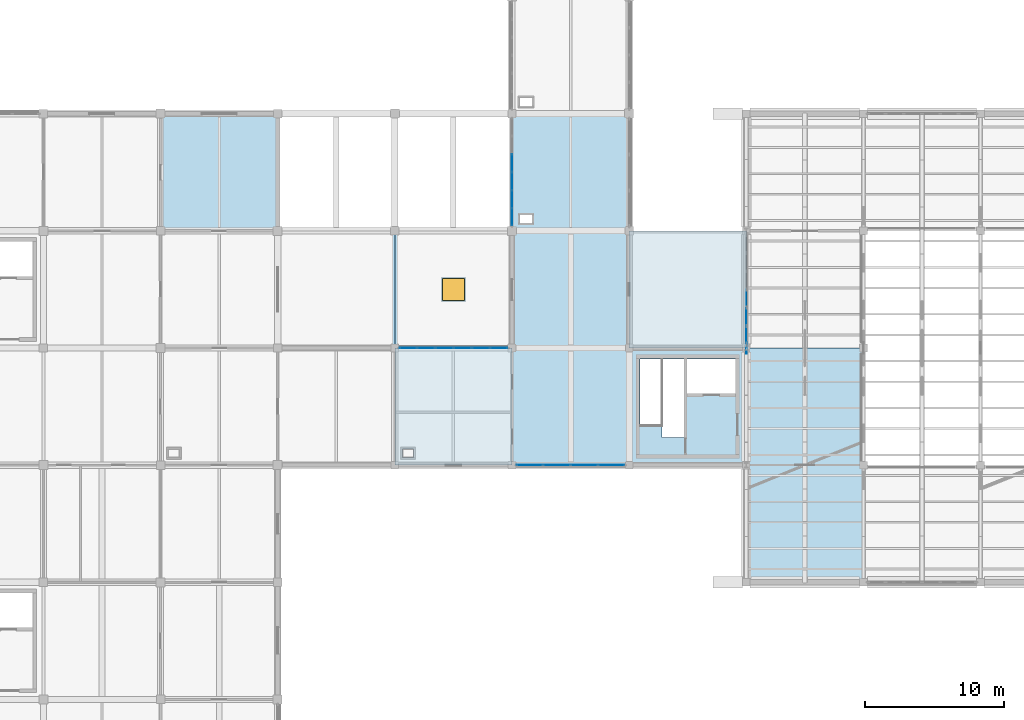
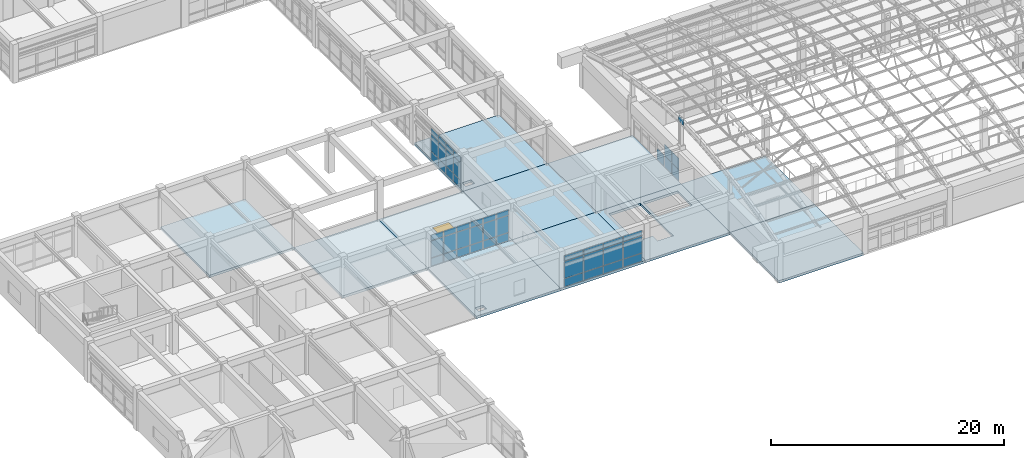
# One storey, part 48 of 74: 48 plates, 11 slabs, 1 window, 1 opening, 4 elements without a shape of their own.
"""IFC4 building model written with IfcOpenShell, lengths in metres."""

from ifc_helpers import new_model, si_unit, direction, frame, origin, origin_2d, place, context, subcontext, project, spatial, polyline, rectangle, outline, extrude, material, layer, layer_set, type_object, element, fill, aggregate, save


model = new_model("IFC4")

# Units and contexts
model_context = context("Model", 3, precision=1e-05, world=origin(), true_north=direction((0.0, 1.0)))
body_context = subcontext(model_context, "Body", "Model", "MODEL_VIEW")
ifc_project = project(units=[si_unit("LENGTHUNIT", "METRE"), si_unit("AREAUNIT", "SQUARE_METRE"), si_unit("VOLUMEUNIT", "CUBIC_METRE"), si_unit("PLANEANGLEUNIT", "RADIAN"), si_unit("MASSUNIT", "GRAM", prefix="KILO")], contexts=[model_context])

# Site, building, storey
site_placement = place(None, origin())
site = spatial("IfcSite", under=ifc_project, at=site_placement, CompositionType="ELEMENT")
building_placement = place(site_placement, origin())
building = spatial("IfcBuilding", under=site, at=building_placement, Name="Porcellanite Civic Hall", CompositionType="ELEMENT")
storey_placement = place(building_placement, frame((0.0, 0.0, 14.760009765625)))
storey = spatial("IfcBuildingStorey", under=building, at=storey_placement, Name="L03", CompositionType="ELEMENT", Elevation=14.760009765625)

# Curtain wall, plates
ifc_material_1 = material(Name="Anodised aluminium and solar laminated glass", Category="aluminium")
ifc_layer_1 = layer(ifc_material_1, 0.179931640625)
ifc_layer_set_1 = layer_set([ifc_layer_1], Name="Anodised aluminium and solar laminated glass")
curtain_wall_type_1 = type_object("IfcCurtainWallType", Name="CW-SYS01", PredefinedType="NOTDEFINED", material=ifc_layer_set_1)
curtain_wall_1_placement = place(storey_placement, origin())
curtain_wall_1 = element("IfcCurtainWall", 1, at=curtain_wall_1_placement, inside=storey, type_object=curtain_wall_type_1, Name="Curtain wall CW-206", PredefinedType="NOTDEFINED")
ifc_material_2 = material(Name="Cyclone laminated solar-control low-E glass", Category="glass")
ifc_layer_2 = layer(ifc_material_2, 0.02392578125)
ifc_layer_set_2 = layer_set([ifc_layer_2], Name="Cyclone laminated solar-control low-E glass")
plate_type_1 = type_object("IfcPlateType", Name="CWP-01", PredefinedType="CURTAIN_PANEL", material=ifc_layer_set_2)
plate_1_placement = place(storey_placement, frame((67.199951171875, 59.75, 0.06982421875), z_axis=(0.0, 0.0, 1.0), x_axis=(0.0, 1.0, 0.0)))
plate_1 = element("IfcPlate", 2, at=plate_1_placement, type_object=plate_type_1, Name="CW-206 panel 1.1", PredefinedType="CURTAIN_PANEL", context=body_context, shape_type="SweptSolid", body=[
    extrude(rectangle(XDim=1.18798828125, YDim=0.02392578125, at=origin_2d()), origin(), (0.0, 0.0, 1.0), 1.155029296875),
])
plate_2_placement = place(storey_placement, frame((67.199951171875, 59.75, 1.294921875), z_axis=(0.0, 0.0, 1.0), x_axis=(0.0, 1.0, 0.0)))
plate_2 = element("IfcPlate", 3, at=plate_2_placement, type_object=plate_type_1, Name="CW-206 panel 1.2", PredefinedType="CURTAIN_PANEL", context=body_context, shape_type="SweptSolid", body=[
    extrude(rectangle(XDim=1.18798828125, YDim=0.02392578125, at=origin_2d()), origin(), (0.0, 0.0, 1.0), 1.155029296875),
])
plate_3_placement = place(storey_placement, frame((67.199951171875, 61.0380859375, 0.06982421875), z_axis=(0.0, 0.0, 1.0), x_axis=(0.0, 1.0, 0.0)))
plate_3 = element("IfcPlate", 4, at=plate_3_placement, type_object=plate_type_1, Name="CW-206 panel 2.1", PredefinedType="CURTAIN_PANEL", context=body_context, shape_type="SweptSolid", body=[
    extrude(rectangle(XDim=1.22802734375, YDim=0.02392578125, at=origin_2d()), origin(), (0.0, 0.0, 1.0), 1.155029296875),
])
plate_4_placement = place(storey_placement, frame((67.199951171875, 61.0380859375, 1.294921875), z_axis=(0.0, 0.0, 1.0), x_axis=(0.0, 1.0, 0.0)))
plate_4 = element("IfcPlate", 5, at=plate_4_placement, type_object=plate_type_1, Name="CW-206 panel 2.2", PredefinedType="CURTAIN_PANEL", context=body_context, shape_type="SweptSolid", body=[
    extrude(rectangle(XDim=1.22802734375, YDim=0.02392578125, at=origin_2d()), origin(), (0.0, 0.0, 1.0), 1.155029296875),
])
plate_5_placement = place(storey_placement, frame((67.199951171875, 62.345947265625, 0.06982421875), z_axis=(0.0, 0.0, 1.0), x_axis=(0.0, 1.0, 0.0)))
plate_5 = element("IfcPlate", 6, at=plate_5_placement, type_object=plate_type_1, Name="CW-206 panel 3.1", PredefinedType="CURTAIN_PANEL", context=body_context, shape_type="SweptSolid", body=[
    extrude(rectangle(XDim=1.22802734375, YDim=0.02392578125, at=origin_2d()), origin(), (0.0, 0.0, 1.0), 1.155029296875),
])
aggregate(curtain_wall_1, [plate_1, plate_2, plate_3, plate_4, plate_5])

curtain_wall_2_placement = place(storey_placement, origin())
curtain_wall_2 = element("IfcCurtainWall", 7, at=curtain_wall_2_placement, inside=storey, type_object=curtain_wall_type_1, Name="Curtain wall CW-191", PredefinedType="NOTDEFINED")
ifc_material_3 = material(Name="Cyclone laminated solar-control low-E glass", Category="glass")
ifc_layer_3 = layer(ifc_material_3, 0.02587890625)
ifc_layer_set_3 = layer_set([ifc_layer_3], Name="Cyclone laminated solar-control low-E glass")
plate_type_2 = type_object("IfcPlateType", Name="CWP-02", PredefinedType="CURTAIN_PANEL", material=ifc_layer_set_3)
plate_6_placement = place(storey_placement, frame((42.947509765625, 58.800048828125, 0.06005859375), z_axis=(0.0, 0.0, 1.0), x_axis=(1.0, 0.0, 0.0)))
plate_6 = element("IfcPlate", 8, at=plate_6_placement, type_object=plate_type_2, Name="CW-191 panel 1.1", PredefinedType="CURTAIN_PANEL", context=body_context, shape_type="SweptSolid", body=[
    extrude(rectangle(XDim=1.202880859375, YDim=0.02587890625, at=origin_2d()), origin(), (0.0, 0.0, 1.0), 0.81005859375),
])
plate_7_placement = place(storey_placement, frame((42.947509765625, 58.800048828125, 0.93017578125), z_axis=(0.0, 0.0, 1.0), x_axis=(1.0, 0.0, 0.0)))
plate_7 = element("IfcPlate", 9, at=plate_7_placement, type_object=plate_type_2, Name="CW-191 panel 1.2", PredefinedType="CURTAIN_PANEL", context=body_context, shape_type="SweptSolid", body=[
    extrude(rectangle(XDim=1.202880859375, YDim=0.02587890625, at=origin_2d()), origin(), (0.0, 0.0, 1.0), 1.760009765625),
])
plate_8_placement = place(storey_placement, frame((42.947509765625, 58.800048828125, 2.75), z_axis=(0.0, 0.0, 1.0), x_axis=(1.0, 0.0, 0.0)))
plate_8 = element("IfcPlate", 10, at=plate_8_placement, type_object=plate_type_2, Name="CW-191 panel 1.3", PredefinedType="CURTAIN_PANEL", context=body_context, shape_type="SweptSolid", body=[
    extrude(rectangle(XDim=1.202880859375, YDim=0.02587890625, at=origin_2d()), origin(), (0.0, 0.0, 1.0), 0.56005859375),
])
plate_9_placement = place(storey_placement, frame((44.238037109375, 58.800048828125, 0.06005859375), z_axis=(0.0, 0.0, 1.0), x_axis=(1.0, 0.0, 0.0)))
plate_9 = element("IfcPlate", 11, at=plate_9_placement, type_object=plate_type_2, Name="CW-191 panel 2.1", PredefinedType="CURTAIN_PANEL", context=body_context, shape_type="SweptSolid", body=[
    extrude(rectangle(XDim=1.238037109375, YDim=0.02587890625, at=origin_2d()), origin(), (0.0, 0.0, 1.0), 0.81005859375),
])
plate_10_placement = place(storey_placement, frame((44.238037109375, 58.800048828125, 0.93017578125), z_axis=(0.0, 0.0, 1.0), x_axis=(1.0, 0.0, 0.0)))
plate_10 = element("IfcPlate", 12, at=plate_10_placement, type_object=plate_type_2, Name="CW-191 panel 2.2", PredefinedType="CURTAIN_PANEL", context=body_context, shape_type="SweptSolid", body=[
    extrude(rectangle(XDim=1.238037109375, YDim=0.02587890625, at=origin_2d()), origin(), (0.0, 0.0, 1.0), 1.760009765625),
])
plate_11_placement = place(storey_placement, frame((44.238037109375, 58.800048828125, 2.75), z_axis=(0.0, 0.0, 1.0), x_axis=(1.0, 0.0, 0.0)))
plate_11 = element("IfcPlate", 13, at=plate_11_placement, type_object=plate_type_2, Name="CW-191 panel 2.3", PredefinedType="CURTAIN_PANEL", context=body_context, shape_type="SweptSolid", body=[
    extrude(rectangle(XDim=1.238037109375, YDim=0.02587890625, at=origin_2d()), origin(), (0.0, 0.0, 1.0), 0.56005859375),
])
plate_12_placement = place(storey_placement, frame((45.5458984375, 58.800048828125, 0.06005859375), z_axis=(0.0, 0.0, 1.0), x_axis=(1.0, 0.0, 0.0)))
plate_12 = element("IfcPlate", 14, at=plate_12_placement, type_object=plate_type_2, Name="CW-191 panel 3.1", PredefinedType="CURTAIN_PANEL", context=body_context, shape_type="SweptSolid", body=[
    extrude(rectangle(XDim=1.238037109375, YDim=0.02587890625, at=origin_2d()), origin(), (0.0, 0.0, 1.0), 0.81005859375),
])
plate_13_placement = place(storey_placement, frame((45.5458984375, 58.800048828125, 0.93017578125), z_axis=(0.0, 0.0, 1.0), x_axis=(1.0, 0.0, 0.0)))
plate_13 = element("IfcPlate", 15, at=plate_13_placement, type_object=plate_type_2, Name="CW-191 panel 3.2", PredefinedType="CURTAIN_PANEL", context=body_context, shape_type="SweptSolid", body=[
    extrude(rectangle(XDim=1.238037109375, YDim=0.02587890625, at=origin_2d()), origin(), (0.0, 0.0, 1.0), 1.760009765625),
])
plate_14_placement = place(storey_placement, frame((45.5458984375, 58.800048828125, 2.75), z_axis=(0.0, 0.0, 1.0), x_axis=(1.0, 0.0, 0.0)))
plate_14 = element("IfcPlate", 16, at=plate_14_placement, type_object=plate_type_2, Name="CW-191 panel 3.3", PredefinedType="CURTAIN_PANEL", context=body_context, shape_type="SweptSolid", body=[
    extrude(rectangle(XDim=1.238037109375, YDim=0.02587890625, at=origin_2d()), origin(), (0.0, 0.0, 1.0), 0.56005859375),
])
plate_15_placement = place(storey_placement, frame((46.85400390625, 58.800048828125, 0.06005859375), z_axis=(0.0, 0.0, 1.0), x_axis=(1.0, 0.0, 0.0)))
plate_15 = element("IfcPlate", 17, at=plate_15_placement, type_object=plate_type_2, Name="CW-191 panel 4.1", PredefinedType="CURTAIN_PANEL", context=body_context, shape_type="SweptSolid", body=[
    extrude(rectangle(XDim=1.238037109375, YDim=0.02587890625, at=origin_2d()), origin(), (0.0, 0.0, 1.0), 0.81005859375),
])
plate_16_placement = place(storey_placement, frame((46.85400390625, 58.800048828125, 0.93017578125), z_axis=(0.0, 0.0, 1.0), x_axis=(1.0, 0.0, 0.0)))
plate_16 = element("IfcPlate", 18, at=plate_16_placement, type_object=plate_type_2, Name="CW-191 panel 4.2", PredefinedType="CURTAIN_PANEL", context=body_context, shape_type="SweptSolid", body=[
    extrude(rectangle(XDim=1.238037109375, YDim=0.02587890625, at=origin_2d()), origin(), (0.0, 0.0, 1.0), 1.760009765625),
])
plate_17_placement = place(storey_placement, frame((46.85400390625, 58.800048828125, 2.75), z_axis=(0.0, 0.0, 1.0), x_axis=(1.0, 0.0, 0.0)))
plate_17 = element("IfcPlate", 19, at=plate_17_placement, type_object=plate_type_2, Name="CW-191 panel 4.3", PredefinedType="CURTAIN_PANEL", context=body_context, shape_type="SweptSolid", body=[
    extrude(rectangle(XDim=1.238037109375, YDim=0.02587890625, at=origin_2d()), origin(), (0.0, 0.0, 1.0), 0.56005859375),
])
plate_18_placement = place(storey_placement, frame((48.162109375, 58.800048828125, 0.06005859375), z_axis=(0.0, 0.0, 1.0), x_axis=(1.0, 0.0, 0.0)))
plate_18 = element("IfcPlate", 20, at=plate_18_placement, type_object=plate_type_2, Name="CW-191 panel 5.1", PredefinedType="CURTAIN_PANEL", context=body_context, shape_type="SweptSolid", body=[
    extrude(rectangle(XDim=1.238037109375, YDim=0.02587890625, at=origin_2d()), origin(), (0.0, 0.0, 1.0), 0.81005859375),
])
plate_19_placement = place(storey_placement, frame((48.162109375, 58.800048828125, 0.93017578125), z_axis=(0.0, 0.0, 1.0), x_axis=(1.0, 0.0, 0.0)))
plate_19 = element("IfcPlate", 21, at=plate_19_placement, type_object=plate_type_2, Name="CW-191 panel 5.2", PredefinedType="CURTAIN_PANEL", context=body_context, shape_type="SweptSolid", body=[
    extrude(rectangle(XDim=1.238037109375, YDim=0.02587890625, at=origin_2d()), origin(), (0.0, 0.0, 1.0), 1.760009765625),
])
plate_20_placement = place(storey_placement, frame((48.162109375, 58.800048828125, 2.75), z_axis=(0.0, 0.0, 1.0), x_axis=(1.0, 0.0, 0.0)))
plate_20 = element("IfcPlate", 22, at=plate_20_placement, type_object=plate_type_2, Name="CW-191 panel 5.3", PredefinedType="CURTAIN_PANEL", context=body_context, shape_type="SweptSolid", body=[
    extrude(rectangle(XDim=1.238037109375, YDim=0.02587890625, at=origin_2d()), origin(), (0.0, 0.0, 1.0), 0.56005859375),
])
plate_21_placement = place(storey_placement, frame((49.452392578125, 58.800048828125, 0.06005859375), z_axis=(0.0, 0.0, 1.0), x_axis=(1.0, 0.0, 0.0)))
plate_21 = element("IfcPlate", 23, at=plate_21_placement, type_object=plate_type_2, Name="CW-191 panel 6.1", PredefinedType="CURTAIN_PANEL", context=body_context, shape_type="SweptSolid", body=[
    extrude(rectangle(XDim=1.202880859375, YDim=0.02587890625, at=origin_2d()), origin(), (0.0, 0.0, 1.0), 0.81005859375),
])
plate_22_placement = place(storey_placement, frame((49.452392578125, 58.800048828125, 0.93017578125), z_axis=(0.0, 0.0, 1.0), x_axis=(1.0, 0.0, 0.0)))
plate_22 = element("IfcPlate", 24, at=plate_22_placement, type_object=plate_type_2, Name="CW-191 panel 6.2", PredefinedType="CURTAIN_PANEL", context=body_context, shape_type="SweptSolid", body=[
    extrude(rectangle(XDim=1.202880859375, YDim=0.02587890625, at=origin_2d()), origin(), (0.0, 0.0, 1.0), 1.760009765625),
])
plate_23_placement = place(storey_placement, frame((49.452392578125, 58.800048828125, 2.75), z_axis=(0.0, 0.0, 1.0), x_axis=(1.0, 0.0, 0.0)))
plate_23 = element("IfcPlate", 25, at=plate_23_placement, type_object=plate_type_2, Name="CW-191 panel 6.3", PredefinedType="CURTAIN_PANEL", context=body_context, shape_type="SweptSolid", body=[
    extrude(rectangle(XDim=1.202880859375, YDim=0.02587890625, at=origin_2d()), origin(), (0.0, 0.0, 1.0), 0.56005859375),
])
aggregate(curtain_wall_2, [plate_6, plate_7, plate_8, plate_9, plate_10, plate_11, plate_12, plate_13, plate_14, plate_15, plate_16, plate_17, plate_18, plate_19, plate_20, plate_21, plate_22, plate_23])

ifc_material_4 = material(Name="Anodised aluminium and solar laminated glass", Category="aluminium")
ifc_layer_4 = layer(ifc_material_4, 0.179931640625)
ifc_layer_set_4 = layer_set([ifc_layer_4], Name="Anodised aluminium and solar laminated glass")
curtain_wall_type_2 = type_object("IfcCurtainWallType", Name="CW-SYS06", PredefinedType="NOTDEFINED", material=ifc_layer_set_4)
curtain_wall_3_placement = place(storey_placement, origin())
curtain_wall_3 = element("IfcCurtainWall", 26, at=curtain_wall_3_placement, inside=storey, type_object=curtain_wall_type_2, Name="Curtain wall CW-194", PredefinedType="NOTDEFINED")
ifc_material_5 = material(Name="Cyclone laminated solar-control low-E glass", Category="glass")
ifc_layer_5 = layer(ifc_material_5, 0.031982421875)
ifc_layer_set_5 = layer_set([ifc_layer_5], Name="Cyclone laminated solar-control low-E glass")
plate_type_3 = type_object("IfcPlateType", Name="CWP-05", PredefinedType="CURTAIN_PANEL", material=ifc_layer_set_5)
plate_24_placement = place(storey_placement, frame((57.52685546875, 50.39990234375, 0.0498046875), z_axis=(0.0, 0.0, 1.0), x_axis=(-1.0, 0.0, 0.0)))
plate_24 = element("IfcPlate", 27, at=plate_24_placement, type_object=plate_type_3, Name="CW-194 panel 1.1", PredefinedType="CURTAIN_PANEL", context=body_context, shape_type="SweptSolid", body=[
    extrude(rectangle(XDim=1.864501953125, YDim=0.031982421875, at=origin_2d()), origin(), (0.0, 0.0, 1.0), 0.824951171875),
])
plate_25_placement = place(storey_placement, frame((57.52685546875, 50.39990234375, 0.925048828125), z_axis=(0.0, 0.0, 1.0), x_axis=(-1.0, 0.0, 0.0)))
plate_25 = element("IfcPlate", 28, at=plate_25_placement, type_object=plate_type_3, Name="CW-194 panel 1.2", PredefinedType="CURTAIN_PANEL", context=body_context, shape_type="SweptSolid", body=[
    extrude(rectangle(XDim=1.864501953125, YDim=0.031982421875, at=origin_2d()), origin(), (0.0, 0.0, 1.0), 1.77001953125),
])
plate_26_placement = place(storey_placement, frame((57.52685546875, 50.39990234375, 2.7451171875), z_axis=(0.0, 0.0, 1.0), x_axis=(-1.0, 0.0, 0.0)))
plate_26 = element("IfcPlate", 29, at=plate_26_placement, type_object=plate_type_3, Name="CW-194 panel 1.3", PredefinedType="CURTAIN_PANEL", context=body_context, shape_type="SweptSolid", body=[
    extrude(rectangle(XDim=1.864501953125, YDim=0.031982421875, at=origin_2d()), origin(), (0.0, 0.0, 1.0), 0.574951171875),
])
plate_27_placement = place(storey_placement, frame((55.5810546875, 50.39990234375, 0.0498046875), z_axis=(0.0, 0.0, 1.0), x_axis=(-1.0, 0.0, 0.0)))
plate_27 = element("IfcPlate", 30, at=plate_27_placement, type_object=plate_type_3, Name="CW-194 panel 2.1", PredefinedType="CURTAIN_PANEL", context=body_context, shape_type="SweptSolid", body=[
    extrude(rectangle(XDim=1.89697265625, YDim=0.031982421875, at=origin_2d()), origin(), (0.0, 0.0, 1.0), 0.824951171875),
])
plate_28_placement = place(storey_placement, frame((55.5810546875, 50.39990234375, 0.925048828125), z_axis=(0.0, 0.0, 1.0), x_axis=(-1.0, 0.0, 0.0)))
plate_28 = element("IfcPlate", 31, at=plate_28_placement, type_object=plate_type_3, Name="CW-194 panel 2.2", PredefinedType="CURTAIN_PANEL", context=body_context, shape_type="SweptSolid", body=[
    extrude(rectangle(XDim=1.89697265625, YDim=0.031982421875, at=origin_2d()), origin(), (0.0, 0.0, 1.0), 1.77001953125),
])
plate_29_placement = place(storey_placement, frame((55.5810546875, 50.39990234375, 2.7451171875), z_axis=(0.0, 0.0, 1.0), x_axis=(-1.0, 0.0, 0.0)))
plate_29 = element("IfcPlate", 32, at=plate_29_placement, type_object=plate_type_3, Name="CW-194 panel 2.3", PredefinedType="CURTAIN_PANEL", context=body_context, shape_type="SweptSolid", body=[
    extrude(rectangle(XDim=1.89697265625, YDim=0.031982421875, at=origin_2d()), origin(), (0.0, 0.0, 1.0), 0.574951171875),
])
plate_30_placement = place(storey_placement, frame((53.618896484375, 50.39990234375, 0.0498046875), z_axis=(0.0, 0.0, 1.0), x_axis=(-1.0, 0.0, 0.0)))
plate_30 = element("IfcPlate", 33, at=plate_30_placement, type_object=plate_type_3, Name="CW-194 panel 3.1", PredefinedType="CURTAIN_PANEL", context=body_context, shape_type="SweptSolid", body=[
    extrude(rectangle(XDim=1.89697265625, YDim=0.031982421875, at=origin_2d()), origin(), (0.0, 0.0, 1.0), 0.824951171875),
])
plate_31_placement = place(storey_placement, frame((53.618896484375, 50.39990234375, 0.925048828125), z_axis=(0.0, 0.0, 1.0), x_axis=(-1.0, 0.0, 0.0)))
plate_31 = element("IfcPlate", 34, at=plate_31_placement, type_object=plate_type_3, Name="CW-194 panel 3.2", PredefinedType="CURTAIN_PANEL", context=body_context, shape_type="SweptSolid", body=[
    extrude(rectangle(XDim=1.89697265625, YDim=0.031982421875, at=origin_2d()), origin(), (0.0, 0.0, 1.0), 1.77001953125),
])
plate_32_placement = place(storey_placement, frame((53.618896484375, 50.39990234375, 2.7451171875), z_axis=(0.0, 0.0, 1.0), x_axis=(-1.0, 0.0, 0.0)))
plate_32 = element("IfcPlate", 35, at=plate_32_placement, type_object=plate_type_3, Name="CW-194 panel 3.3", PredefinedType="CURTAIN_PANEL", context=body_context, shape_type="SweptSolid", body=[
    extrude(rectangle(XDim=1.89697265625, YDim=0.031982421875, at=origin_2d()), origin(), (0.0, 0.0, 1.0), 0.574951171875),
])
plate_33_placement = place(storey_placement, frame((51.67333984375, 50.39990234375, 0.0498046875), z_axis=(0.0, 0.0, 1.0), x_axis=(-1.0, 0.0, 0.0)))
plate_33 = element("IfcPlate", 36, at=plate_33_placement, type_object=plate_type_3, Name="CW-194 panel 4.1", PredefinedType="CURTAIN_PANEL", context=body_context, shape_type="SweptSolid", body=[
    extrude(rectangle(XDim=1.864501953125, YDim=0.031982421875, at=origin_2d()), origin(), (0.0, 0.0, 1.0), 0.824951171875),
])
plate_34_placement = place(storey_placement, frame((51.67333984375, 50.39990234375, 0.925048828125), z_axis=(0.0, 0.0, 1.0), x_axis=(-1.0, 0.0, 0.0)))
plate_34 = element("IfcPlate", 37, at=plate_34_placement, type_object=plate_type_3, Name="CW-194 panel 4.2", PredefinedType="CURTAIN_PANEL", context=body_context, shape_type="SweptSolid", body=[
    extrude(rectangle(XDim=1.864501953125, YDim=0.031982421875, at=origin_2d()), origin(), (0.0, 0.0, 1.0), 1.77001953125),
])
plate_35_placement = place(storey_placement, frame((51.67333984375, 50.39990234375, 2.7451171875), z_axis=(0.0, 0.0, 1.0), x_axis=(-1.0, 0.0, 0.0)))
plate_35 = element("IfcPlate", 38, at=plate_35_placement, type_object=plate_type_3, Name="CW-194 panel 4.3", PredefinedType="CURTAIN_PANEL", context=body_context, shape_type="SweptSolid", body=[
    extrude(rectangle(XDim=1.864501953125, YDim=0.031982421875, at=origin_2d()), origin(), (0.0, 0.0, 1.0), 0.574951171875),
])
aggregate(curtain_wall_3, [plate_24, plate_25, plate_26, plate_27, plate_28, plate_29, plate_30, plate_31, plate_32, plate_33, plate_34, plate_35])

ifc_material_6 = material(Name="Anodised aluminium and solar laminated glass", Category="aluminium")
ifc_layer_6 = layer(ifc_material_6, 0.179931640625)
ifc_layer_set_6 = layer_set([ifc_layer_6], Name="Anodised aluminium and solar laminated glass")
curtain_wall_type_3 = type_object("IfcCurtainWallType", Name="CW-SYS07", PredefinedType="NOTDEFINED", material=ifc_layer_set_6)
curtain_wall_4_placement = place(storey_placement, origin())
curtain_wall_4 = element("IfcCurtainWall", 39, at=curtain_wall_4_placement, inside=storey, type_object=curtain_wall_type_3, Name="Curtain wall CW-195", PredefinedType="NOTDEFINED")
ifc_material_7 = material(Name="Cyclone laminated solar-control low-E glass", Category="glass")
ifc_layer_7 = layer(ifc_material_7, 0.033935546875)
ifc_layer_set_7 = layer_set([ifc_layer_7], Name="Cyclone laminated solar-control low-E glass")
plate_type_4 = type_object("IfcPlateType", Name="CWP-06", PredefinedType="CURTAIN_PANEL", material=ifc_layer_set_7)
plate_36_placement = place(storey_placement, frame((50.39990234375, 68.188720703125, 0.0498046875), z_axis=(0.0, 0.0, 1.0), x_axis=(0.0, 1.0, 0.0)))
plate_36 = element("IfcPlate", 40, at=plate_36_placement, type_object=plate_type_4, Name="CW-195 panel 1.1", PredefinedType="CURTAIN_PANEL", context=body_context, shape_type="SweptSolid", body=[
    extrude(rectangle(XDim=1.20556640625, YDim=0.033935546875, at=origin_2d()), origin(), (0.0, 0.0, 1.0), 0.824951171875),
])
plate_37_placement = place(storey_placement, frame((50.39990234375, 68.188720703125, 0.925048828125), z_axis=(0.0, 0.0, 1.0), x_axis=(0.0, 1.0, 0.0)))
plate_37 = element("IfcPlate", 41, at=plate_37_placement, type_object=plate_type_4, Name="CW-195 panel 1.2", PredefinedType="CURTAIN_PANEL", context=body_context, shape_type="SweptSolid", body=[
    extrude(rectangle(XDim=1.20556640625, YDim=0.033935546875, at=origin_2d()), origin(), (0.0, 0.0, 1.0), 1.77001953125),
])
plate_38_placement = place(storey_placement, frame((50.39990234375, 68.188720703125, 2.7451171875), z_axis=(0.0, 0.0, 1.0), x_axis=(0.0, 1.0, 0.0)))
plate_38 = element("IfcPlate", 42, at=plate_38_placement, type_object=plate_type_4, Name="CW-195 panel 1.3", PredefinedType="CURTAIN_PANEL", context=body_context, shape_type="SweptSolid", body=[
    extrude(rectangle(XDim=1.20556640625, YDim=0.033935546875, at=origin_2d()), origin(), (0.0, 0.0, 1.0), 0.574951171875),
])
plate_39_placement = place(storey_placement, frame((50.39990234375, 69.46923828125, 0.0498046875), z_axis=(0.0, 0.0, 1.0), x_axis=(0.0, 1.0, 0.0)))
plate_39 = element("IfcPlate", 43, at=plate_39_placement, type_object=plate_type_4, Name="CW-195 panel 2.1", PredefinedType="CURTAIN_PANEL", context=body_context, shape_type="SweptSolid", body=[
    extrude(rectangle(XDim=1.235595703125, YDim=0.033935546875, at=origin_2d()), origin(), (0.0, 0.0, 1.0), 0.824951171875),
])
plate_40_placement = place(storey_placement, frame((50.39990234375, 69.46923828125, 0.925048828125), z_axis=(0.0, 0.0, 1.0), x_axis=(0.0, 1.0, 0.0)))
plate_40 = element("IfcPlate", 44, at=plate_40_placement, type_object=plate_type_4, Name="CW-195 panel 2.2", PredefinedType="CURTAIN_PANEL", context=body_context, shape_type="SweptSolid", body=[
    extrude(rectangle(XDim=1.235595703125, YDim=0.033935546875, at=origin_2d()), origin(), (0.0, 0.0, 1.0), 1.77001953125),
])
plate_41_placement = place(storey_placement, frame((50.39990234375, 69.46923828125, 2.7451171875), z_axis=(0.0, 0.0, 1.0), x_axis=(0.0, 1.0, 0.0)))
plate_41 = element("IfcPlate", 45, at=plate_41_placement, type_object=plate_type_4, Name="CW-195 panel 2.3", PredefinedType="CURTAIN_PANEL", context=body_context, shape_type="SweptSolid", body=[
    extrude(rectangle(XDim=1.235595703125, YDim=0.033935546875, at=origin_2d()), origin(), (0.0, 0.0, 1.0), 0.574951171875),
])
plate_42_placement = place(storey_placement, frame((50.39990234375, 70.7646484375, 0.0498046875), z_axis=(0.0, 0.0, 1.0), x_axis=(0.0, 1.0, 0.0)))
plate_42 = element("IfcPlate", 46, at=plate_42_placement, type_object=plate_type_4, Name="CW-195 panel 3.1", PredefinedType="CURTAIN_PANEL", context=body_context, shape_type="SweptSolid", body=[
    extrude(rectangle(XDim=1.235595703125, YDim=0.033935546875, at=origin_2d()), origin(), (0.0, 0.0, 1.0), 0.824951171875),
])
plate_43_placement = place(storey_placement, frame((50.39990234375, 70.7646484375, 0.925048828125), z_axis=(0.0, 0.0, 1.0), x_axis=(0.0, 1.0, 0.0)))
plate_43 = element("IfcPlate", 47, at=plate_43_placement, type_object=plate_type_4, Name="CW-195 panel 3.2", PredefinedType="CURTAIN_PANEL", context=body_context, shape_type="SweptSolid", body=[
    extrude(rectangle(XDim=1.235595703125, YDim=0.033935546875, at=origin_2d()), origin(), (0.0, 0.0, 1.0), 1.77001953125),
])
plate_44_placement = place(storey_placement, frame((50.39990234375, 70.7646484375, 2.7451171875), z_axis=(0.0, 0.0, 1.0), x_axis=(0.0, 1.0, 0.0)))
plate_44 = element("IfcPlate", 48, at=plate_44_placement, type_object=plate_type_4, Name="CW-195 panel 3.3", PredefinedType="CURTAIN_PANEL", context=body_context, shape_type="SweptSolid", body=[
    extrude(rectangle(XDim=1.235595703125, YDim=0.033935546875, at=origin_2d()), origin(), (0.0, 0.0, 1.0), 0.574951171875),
])
plate_45_placement = place(storey_placement, frame((50.39990234375, 72.060302734375, 0.0498046875), z_axis=(0.0, 0.0, 1.0), x_axis=(0.0, 1.0, 0.0)))
plate_45 = element("IfcPlate", 49, at=plate_45_placement, type_object=plate_type_4, Name="CW-195 panel 4.1", PredefinedType="CURTAIN_PANEL", context=body_context, shape_type="SweptSolid", body=[
    extrude(rectangle(XDim=1.235595703125, YDim=0.033935546875, at=origin_2d()), origin(), (0.0, 0.0, 1.0), 0.824951171875),
])
plate_46_placement = place(storey_placement, frame((50.39990234375, 72.060302734375, 0.925048828125), z_axis=(0.0, 0.0, 1.0), x_axis=(0.0, 1.0, 0.0)))
plate_46 = element("IfcPlate", 50, at=plate_46_placement, type_object=plate_type_4, Name="CW-195 panel 4.2", PredefinedType="CURTAIN_PANEL", context=body_context, shape_type="SweptSolid", body=[
    extrude(rectangle(XDim=1.235595703125, YDim=0.033935546875, at=origin_2d()), origin(), (0.0, 0.0, 1.0), 1.77001953125),
])
plate_47_placement = place(storey_placement, frame((50.39990234375, 72.060302734375, 2.7451171875), z_axis=(0.0, 0.0, 1.0), x_axis=(0.0, 1.0, 0.0)))
plate_47 = element("IfcPlate", 51, at=plate_47_placement, type_object=plate_type_4, Name="CW-195 panel 4.3", PredefinedType="CURTAIN_PANEL", context=body_context, shape_type="SweptSolid", body=[
    extrude(rectangle(XDim=1.235595703125, YDim=0.033935546875, at=origin_2d()), origin(), (0.0, 0.0, 1.0), 0.574951171875),
])
aggregate(curtain_wall_4, [plate_36, plate_37, plate_38, plate_39, plate_40, plate_41, plate_42, plate_43, plate_44, plate_45, plate_46, plate_47])

# Plate
ifc_material_8 = material(Name="Steel Grade 350", Category="steel")
ifc_layer_8 = layer(ifc_material_8, 0.031982421875)
ifc_layer_set_8 = layer_set([ifc_layer_8], Name="Steel Grade 350")
plate_type_5 = type_object("IfcPlateType", Name="PL-GUS4", PredefinedType="SHEET", material=ifc_layer_set_8)
plate_48_placement = place(storey_placement, frame((67.199951171875, 58.800048828125, 6.357666015625), z_axis=(0.0, 0.0, 1.0), x_axis=(1.0, 0.0, 0.0)))
element("IfcPlate", 52, at=plate_48_placement, inside=storey, type_object=plate_type_5, Name="Chamber arch crown plate 8", PredefinedType="SHEET", context=body_context, shape_type="SweptSolid", body=[
    extrude(rectangle(XDim=0.031982421875, YDim=0.85009765625, at=origin_2d()), origin(), (0.0, 0.0, 1.0), 0.580078125),
])

# Slabs
ifc_material_9 = material(Name="Concrete N40 (40 MPa)", Category="concrete")
ifc_layer_9 = layer(ifc_material_9, 0.25)
ifc_layer_set_9 = layer_set([ifc_layer_9], Name="Concrete N40 (40 MPa)")
slab_type_1 = type_object("IfcSlabType", Name="SL-FL250", PredefinedType="FLOOR", material=ifc_layer_set_9)
slab_1_placement = place(storey_placement, frame((0.0, 0.0, -0.25)))
element("IfcSlab", 53, at=slab_1_placement, inside=storey, type_object=slab_type_1, Name="Slab L03 bay 4-9", PredefinedType="FLOOR", context=body_context, shape_type="SweptSolid", body=[
    extrude(outline(polyline([(25.199951171875, 67.199951171875), (33.60009765625, 67.199951171875), (33.60009765625, 75.60009765625), (25.199951171875, 75.60009765625), (25.199951171875, 67.199951171875)])), origin(), (0.0, 0.0, 1.0), 0.25),
])
slab_2_placement = place(storey_placement, frame((0.0, 0.0, -0.25)))
element("IfcSlab", 54, at=slab_2_placement, inside=storey, type_object=slab_type_1, Name="Slab L03 bay 6-7", PredefinedType="FLOOR", context=body_context, shape_type="SweptSolid", body=[
    extrude(outline(polyline([(42.0, 50.39990234375), (50.39990234375, 50.39990234375), (50.39990234375, 58.800048828125), (42.0, 58.800048828125), (42.0, 50.39990234375)]), holes=[polyline([(42.550048828125, 50.949951171875), (43.35009765625, 50.949951171875), (43.35009765625, 51.550048828125), (42.550048828125, 51.550048828125), (42.550048828125, 50.949951171875)])]), origin(), (0.0, 0.0, 1.0), 0.25),
])
slab_3_placement = place(storey_placement, frame((0.0, 0.0, -0.25)))
element("IfcSlab", 55, at=slab_3_placement, inside=storey, type_object=slab_type_1, Name="Slab L03 bay 7-8", PredefinedType="FLOOR", context=body_context, shape_type="SweptSolid", body=[
    extrude(outline(polyline([(50.39990234375, 58.800048828125), (58.800048828125, 58.800048828125), (58.800048828125, 67.199951171875), (50.39990234375, 67.199951171875), (50.39990234375, 58.800048828125)])), origin(), (0.0, 0.0, 1.0), 0.25),
])
slab_4_placement = place(storey_placement, frame((0.0, 0.0, -0.25)))
element("IfcSlab", 56, at=slab_4_placement, inside=storey, type_object=slab_type_1, Name="Slab L03 bay 7-9", PredefinedType="FLOOR", context=body_context, shape_type="SweptSolid", body=[
    extrude(outline(polyline([(50.39990234375, 67.199951171875), (58.800048828125, 67.199951171875), (58.800048828125, 75.60009765625), (50.39990234375, 75.60009765625), (50.39990234375, 67.199951171875)]), holes=[polyline([(50.949951171875, 67.75), (51.85009765625, 67.75), (51.85009765625, 68.35009765625), (50.949951171875, 68.35009765625), (50.949951171875, 67.75)])]), origin(), (0.0, 0.0, 1.0), 0.25),
])
slab_5_placement = place(storey_placement, frame((0.0, 0.0, -0.25)))
element("IfcSlab", 57, at=slab_5_placement, inside=storey, type_object=slab_type_1, Name="Slab L03 bay 8-7", PredefinedType="FLOOR", context=body_context, shape_type="SweptSolid", body=[
    extrude(outline(polyline([(58.800048828125, 50.39990234375), (67.199951171875, 50.39990234375), (67.199951171875, 58.800048828125), (58.800048828125, 58.800048828125), (58.800048828125, 50.39990234375)]), holes=[polyline([(59.580078125, 53.25), (61.159912109375, 53.25), (61.159912109375, 52.39990234375), (62.719970703125, 52.39990234375), (62.719970703125, 58.02001953125), (59.580078125, 58.02001953125), (59.580078125, 53.25)]), polyline([(62.9599609375, 55.5400390625), (66.419921875, 55.5400390625), (66.419921875, 58.02001953125), (62.9599609375, 58.02001953125), (62.9599609375, 55.5400390625)])]), origin(), (0.0, 0.0, 1.0), 0.25),
])
slab_6_placement = place(storey_placement, frame((0.0, 0.0, -0.25)))
element("IfcSlab", 58, at=slab_6_placement, inside=storey, type_object=slab_type_1, Name="Slab L03 bay 9-6", PredefinedType="FLOOR", context=body_context, shape_type="SweptSolid", body=[
    extrude(outline(polyline([(67.199951171875, 42.0), (75.60009765625, 42.0), (75.60009765625, 50.39990234375), (67.199951171875, 50.39990234375), (67.199951171875, 42.0)])), origin(), (0.0, 0.0, 1.0), 0.25),
])
slab_7_placement = place(storey_placement, frame((0.0, 0.0, -0.25)))
element("IfcSlab", 59, at=slab_7_placement, inside=storey, type_object=slab_type_1, Name="Slab L03 bay 9-7", PredefinedType="FLOOR", context=body_context, shape_type="SweptSolid", body=[
    extrude(outline(polyline([(67.199951171875, 50.39990234375), (75.60009765625, 50.39990234375), (75.60009765625, 58.800048828125), (67.199951171875, 58.800048828125), (67.199951171875, 50.39990234375)])), origin(), (0.0, 0.0, 1.0), 0.25),
])
ifc_material_10 = material(Name="Concrete N40 (40 MPa)", Category="concrete")
ifc_layer_10 = layer(ifc_material_10, 0.260009765625)
ifc_layer_set_10 = layer_set([ifc_layer_10], Name="Concrete N40 (40 MPa)")
slab_type_2 = type_object("IfcSlabType", Name="SL-FL260", PredefinedType="FLOOR", material=ifc_layer_set_10)
slab_8_placement = place(storey_placement, frame((0.0, 0.0, -0.260009765625)))
element("IfcSlab", 60, at=slab_8_placement, inside=storey, type_object=slab_type_2, Name="Slab L03 bay 7-7", PredefinedType="FLOOR", context=body_context, shape_type="SweptSolid", body=[
    extrude(outline(polyline([(50.39990234375, 50.39990234375), (58.800048828125, 50.39990234375), (58.800048828125, 58.800048828125), (50.39990234375, 58.800048828125), (50.39990234375, 50.39990234375)])), origin(), (0.0, 0.0, 1.0), 0.260009765625),
])
ifc_material_11 = material(Name="Concrete N40 (40 MPa)", Category="concrete")
ifc_layer_11 = layer(ifc_material_11, 0.260009765625)
ifc_layer_set_11 = layer_set([ifc_layer_11], Name="Concrete N40 (40 MPa)")
slab_type_3 = type_object("IfcSlabType", Name="SL-RF260", PredefinedType="ROOF", material=ifc_layer_set_11)
slab_9_placement = place(storey_placement, frame((0.0, 0.0, -0.260009765625)))
element("IfcSlab", 61, at=slab_9_placement, inside=storey, type_object=slab_type_3, Name="Roof slab L03 5-8", PredefinedType="ROOF", context=body_context, shape_type="SweptSolid", body=[
    extrude(outline(polyline([(33.60009765625, 58.800048828125), (42.0, 58.800048828125), (42.0, 67.199951171875), (33.60009765625, 67.199951171875), (33.60009765625, 58.800048828125)])), origin(), (0.0, 0.0, 1.0), 0.260009765625),
])

# Slab, opening, window
slab_10_placement = place(storey_placement, frame((0.0, 0.0, -0.260009765625)))
slab_10 = element("IfcSlab", 62, at=slab_10_placement, inside=storey, type_object=slab_type_3, Name="Roof slab L03 6-8", PredefinedType="ROOF", context=body_context, shape_type="SweptSolid", body=[
    extrude(outline(polyline([(42.0, 58.800048828125), (50.39990234375, 58.800048828125), (50.39990234375, 67.199951171875), (42.0, 67.199951171875), (42.0, 58.800048828125)])), origin(), (0.0, 0.0, 1.0), 0.260009765625),
])
opening_placement = place(slab_10_placement, frame((46.199951171875, 63.0, 0.0)))
opening = element("IfcOpeningElement", 63, at=opening_placement, cuts=slab_10, Name="Opening SK8", PredefinedType="OPENING", context=body_context, shape_type="SweptSolid", body=[
    extrude(rectangle(XDim=1.60009765625, YDim=1.60009765625, at=origin_2d()), origin(), (0.0, 0.0, 1.0), 0.260009765625),
])
ifc_material_12 = material(Name="Cyclone laminated low-E glazing in anodised aluminium frame", Category="aluminium")
window_type = type_object("IfcWindowType", Name="SK-08", PartitioningType="SINGLE_PANEL", PredefinedType="SKYLIGHT", material=ifc_material_12)
window_placement = place(opening_placement, frame((0.0, 0.0, 0.2099609375)))
window = element("IfcWindow", 64, at=window_placement, inside=storey, type_object=window_type, Name="Roof skylight SK8 L03 6-8", OverallHeight=1.60009765625, OverallWidth=1.60009765625, PartitioningType="SINGLE_PANEL", PredefinedType="SKYLIGHT", context=body_context, shape_type="SweptSolid", body=[
    extrude(rectangle(XDim=1.60009765625, YDim=1.60009765625, at=origin_2d()), origin(), (0.0, 0.0, 1.0), 0.050048828125),
])
fill(opening, window)

# Slab
slab_11_placement = place(storey_placement, frame((0.0, 0.0, -0.260009765625)))
element("IfcSlab", 65, at=slab_11_placement, inside=storey, type_object=slab_type_3, Name="Roof slab L03 8-8", PredefinedType="ROOF", context=body_context, shape_type="SweptSolid", body=[
    extrude(outline(polyline([(58.800048828125, 58.800048828125), (67.199951171875, 58.800048828125), (67.199951171875, 67.199951171875), (58.800048828125, 67.199951171875), (58.800048828125, 58.800048828125)])), origin(), (0.0, 0.0, 1.0), 0.260009765625),
])

save(model, "model.ifc")
